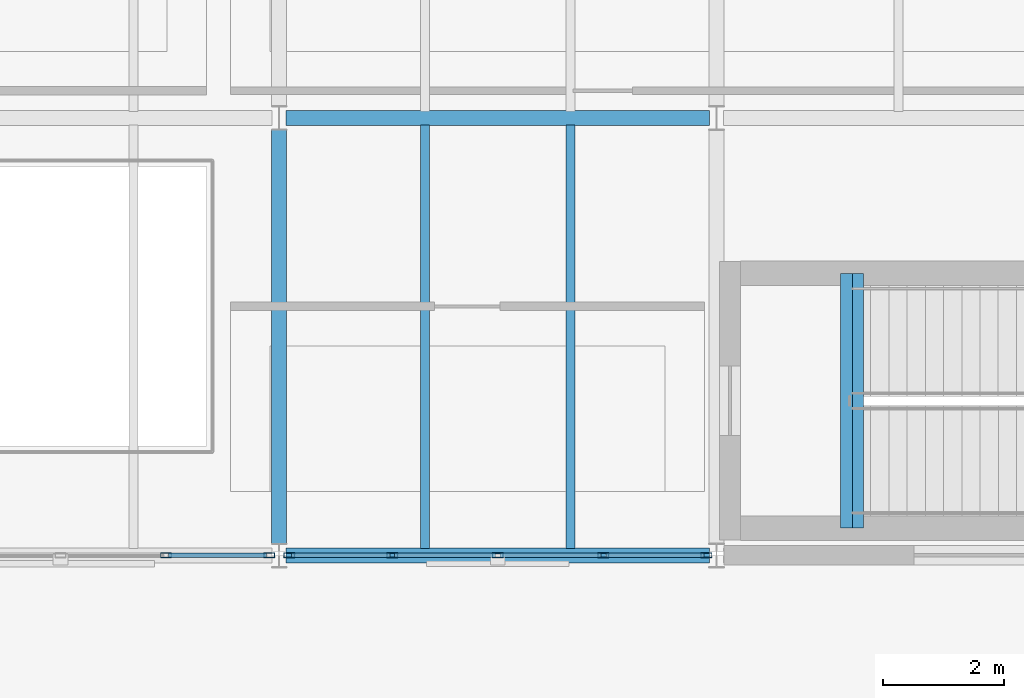
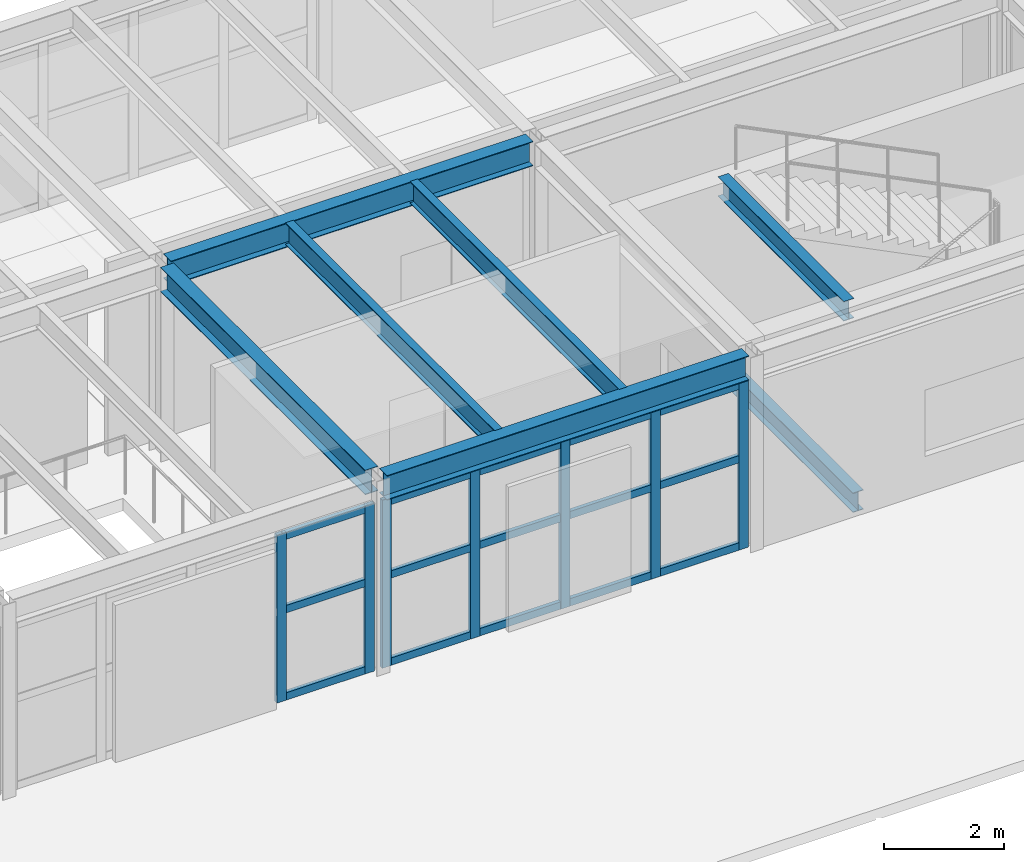
# One storey, part 19 of 37: 22 members, 7 beams, 2 elements without a shape of their own.
"""IFC4 building model written with IfcOpenShell, lengths in metres."""

from ifc_helpers import new_model, si_unit, direction, frame, origin, origin_2d, place, context, subcontext, project, spatial, hollow_rectangle, i_section, extrude, material, layer, layer_set, material_profile, profile_set, type_object, element, aggregate, save


model = new_model("IFC4")

# Units and contexts
model_context = context("Model", 3, precision=1e-05, world=origin(), true_north=direction((0.0, 1.0)))
body_context = subcontext(model_context, "Body", "Model", "MODEL_VIEW")
ifc_project = project(units=[si_unit("LENGTHUNIT", "METRE"), si_unit("AREAUNIT", "SQUARE_METRE"), si_unit("VOLUMEUNIT", "CUBIC_METRE"), si_unit("PLANEANGLEUNIT", "RADIAN"), si_unit("MASSUNIT", "GRAM", prefix="KILO")], contexts=[model_context])

# Site, building, storey
site_placement = place(None, origin())
site = spatial("IfcSite", under=ifc_project, at=site_placement, CompositionType="ELEMENT")
building_placement = place(site_placement, origin())
building = spatial("IfcBuilding", under=site, at=building_placement, Name="Kandorven Conservatory and Botanical Research Centre", CompositionType="ELEMENT")
storey_placement = place(building_placement, frame((0.0, 0.0, 9.0)))
storey = spatial("IfcBuildingStorey", under=building, at=storey_placement, Name="L02", CompositionType="ELEMENT", Elevation=9.0)

# Beams
ifc_material_1 = material(Name="Steel S355 (IS 2062 E350)", Category="steel")
ifc_material_profile_1 = material_profile(ifc_material_1, i_section(OverallWidth=0.25, OverallDepth=0.5, WebThickness=0.010009765625, FlangeThickness=0.0146484375, at=origin_2d()))
ifc_profile_set_1 = profile_set([ifc_material_profile_1], Name="Steel S355 (IS 2062 E350)")
beam_type_1 = type_object("IfcBeamType", Name="Beam_FG-02", PredefinedType="USERDEFINED", material=ifc_profile_set_1)
for number, where, z_axis, x_axis, name in (
    (1, (70.9150390625, 13.199951171875, 3.7099609375), (1.0, 0.0, 0.0), (0.0, 1.0, 0.0), "Primary girder FG-02 VIS L02"),
    (2, (70.9150390625, 20.39990234375, 3.7099609375), (1.0, 0.0, 0.0), (0.0, 1.0, 0.0), "Primary girder FG-02 VIS L02"),
):
    element("IfcBeam", number, at=place(storey_placement, frame(where, z_axis=z_axis, x_axis=x_axis)), inside=storey, type_object=beam_type_1, Name=name, ObjectType="GIRDER", PredefinedType="USERDEFINED", context=body_context, shape_type="SweptSolid", body=[
        extrude(i_section(OverallWidth=0.25, OverallDepth=0.5, WebThickness=0.010009765625, FlangeThickness=0.0146484375, at=origin_2d()), origin(), (0.0, 0.0, 1.0), 6.969970703125),
    ])
beam_placement = place(storey_placement, frame((70.800048828125, 13.389892578125, 3.7099609375), z_axis=(0.0, 1.0, 0.0), x_axis=(-1.0, 0.0, 0.0)))
element("IfcBeam", 3, at=beam_placement, inside=storey, type_object=beam_type_1, Name="Primary girder FG-02 VIS L02", ObjectType="GIRDER", PredefinedType="USERDEFINED", context=body_context, shape_type="SweptSolid", body=[
    extrude(i_section(OverallWidth=0.25, OverallDepth=0.5, WebThickness=0.010009765625, FlangeThickness=0.0146484375, at=origin_2d()), origin(), (0.0, 0.0, 1.0), 6.820068359375),
])
ifc_material_2 = material(Name="Steel S355 (IS 2062 E350)", Category="steel")
ifc_material_profile_2 = material_profile(ifc_material_2, i_section(OverallWidth=0.199951171875, OverallDepth=0.39990234375, WebThickness=0.008544921875, FlangeThickness=0.012939453125, at=origin_2d()))
ifc_profile_set_2 = profile_set([ifc_material_profile_2], Name="Steel S355 (IS 2062 E350)")
beam_type_2 = type_object("IfcBeamType", Name="Beam_FG-03", PredefinedType="USERDEFINED", material=ifc_profile_set_2)
for number, where, z_axis, x_axis, name in (
    (4, (80.320068359375, 13.64990234375, -0.199951171875), (0.0, 1.0, 0.0), (-1.0, 0.0, 0.0), "Stair well bottom trimmer girder FG-03 ST-V3B L02"),
    (5, (80.139892578125, 13.64990234375, 3.760009765625), (0.0, 1.0, 0.0), (-1.0, 0.0, 0.0), "Stair well top header girder FG-03 ST-V3B L02"),
):
    element("IfcBeam", number, at=place(storey_placement, frame(where, z_axis=z_axis, x_axis=x_axis)), inside=storey, type_object=beam_type_2, Name=name, ObjectType="GIRDER", PredefinedType="USERDEFINED", context=body_context, shape_type="SweptSolid", body=[
        extrude(i_section(OverallWidth=0.199951171875, OverallDepth=0.39990234375, WebThickness=0.008544921875, FlangeThickness=0.012939453125, at=origin_2d()), origin(), (0.0, 0.0, 1.0), 4.190185546875),
    ])
ifc_material_3 = material(Name="Steel S355 (IS 2062 E350)", Category="steel")
ifc_material_profile_3 = material_profile(ifc_material_3, i_section(OverallWidth=0.14990234375, OverallDepth=0.449951171875, WebThickness=0.009521484375, FlangeThickness=0.017333984375, at=origin_2d()))
ifc_profile_set_3 = profile_set([ifc_material_profile_3], Name="Steel S355 (IS 2062 E350)")
beam_type_3 = type_object("IfcBeamType", Name="Beam_SB-04", PredefinedType="BEAM", material=ifc_profile_set_3)
for number, where, z_axis, x_axis, name in (
    (6, (73.199951171875, 13.31005859375, 3.735107421875), (0.0, 1.0, 0.0), (-1.0, 0.0, 0.0), "Composite secondary beam SB-04 VIS L02"),
    (7, (75.60009765625, 13.31005859375, 3.735107421875), (0.0, 1.0, 0.0), (-1.0, 0.0, 0.0), "Composite secondary beam SB-04 VIS L02"),
):
    element("IfcBeam", number, at=place(storey_placement, frame(where, z_axis=z_axis, x_axis=x_axis)), inside=storey, type_object=beam_type_3, Name=name, PredefinedType="BEAM", context=body_context, shape_type="SweptSolid", body=[
        extrude(i_section(OverallWidth=0.14990234375, OverallDepth=0.449951171875, WebThickness=0.009521484375, FlangeThickness=0.017333984375, at=origin_2d()), origin(), (0.0, 0.0, 1.0), 6.97998046875),
    ])

# Curtain wall, members
ifc_material_4 = material(Name="Bronze anodised thermally broken aluminium", Category="aluminium")
ifc_layer = layer(ifc_material_4, 0.179931640625)
ifc_layer_set = layer_set([ifc_layer], Name="Bronze anodised thermally broken aluminium")
curtain_wall_type = type_object("IfcCurtainWallType", Name="CW_Unitised", PredefinedType="USERDEFINED", material=ifc_layer_set)
curtain_wall_1_placement = place(storey_placement, origin())
curtain_wall_1 = element("IfcCurtainWall", 8, at=curtain_wall_1_placement, inside=storey, type_object=curtain_wall_type, Name="Visitor wing unitised curtain wall CW-VIS-S-L02-4", ObjectType="UNITISED GLAZING", PredefinedType="USERDEFINED")
ifc_material_5 = material(Name="Bronze anodised thermally broken aluminium", Category="aluminium")
ifc_material_profile_4 = material_profile(ifc_material_5, hollow_rectangle(XDim=0.080078125, YDim=0.179931640625, WallThickness=0.006103515625, at=origin_2d()))
ifc_profile_set_4 = profile_set([ifc_material_profile_4], Name="Bronze anodised thermally broken aluminium")
member_type_1 = type_object("IfcMemberType", Name="CW_Mullion", PredefinedType="MULLION", material=ifc_profile_set_4)
member_1_placement = place(storey_placement, frame((68.9375, 13.199951171875, 0.0), z_axis=(0.0, 0.0, 1.0), x_axis=(0.0, 1.0, 0.0)))
member_1 = element("IfcMember", 9, at=member_1_placement, type_object=member_type_1, Name="CW-01 mullion 4", PredefinedType="MULLION", context=body_context, shape_type="SweptSolid", body=[
    extrude(hollow_rectangle(XDim=0.080078125, YDim=0.179931640625, WallThickness=0.006103515625, at=origin_2d()), origin(), (0.0, 0.0, 1.0), 3.419921875),
])
member_2_placement = place(storey_placement, frame((70.635009765625, 13.199951171875, 0.0), z_axis=(0.0, 0.0, 1.0), x_axis=(0.0, 1.0, 0.0)))
member_2 = element("IfcMember", 10, at=member_2_placement, type_object=member_type_1, Name="CW-01 mullion 5", PredefinedType="MULLION", context=body_context, shape_type="SweptSolid", body=[
    extrude(hollow_rectangle(XDim=0.080078125, YDim=0.179931640625, WallThickness=0.006103515625, at=origin_2d()), origin(), (0.0, 0.0, 1.0), 3.419921875),
])

curtain_wall_2_placement = place(storey_placement, origin())
curtain_wall_2 = element("IfcCurtainWall", 11, at=curtain_wall_2_placement, inside=storey, type_object=curtain_wall_type, Name="Visitor wing unitised curtain wall CW-VIS-S-L02-5", ObjectType="UNITISED GLAZING", PredefinedType="USERDEFINED")
member_3_placement = place(storey_placement, frame((70.965087890625, 13.199951171875, 0.0), z_axis=(0.0, 0.0, 1.0), x_axis=(0.0, 1.0, 0.0)))
member_3 = element("IfcMember", 12, at=member_3_placement, type_object=member_type_1, Name="CW-01 mullion 1", PredefinedType="MULLION", context=body_context, shape_type="SweptSolid", body=[
    extrude(hollow_rectangle(XDim=0.080078125, YDim=0.179931640625, WallThickness=0.006103515625, at=origin_2d()), origin(), (0.0, 0.0, 1.0), 3.419921875),
])
member_4_placement = place(storey_placement, frame((72.66259765625, 13.199951171875, 0.0), z_axis=(0.0, 0.0, 1.0), x_axis=(0.0, 1.0, 0.0)))
member_4 = element("IfcMember", 13, at=member_4_placement, type_object=member_type_1, Name="CW-01 mullion 2", PredefinedType="MULLION", context=body_context, shape_type="SweptSolid", body=[
    extrude(hollow_rectangle(XDim=0.080078125, YDim=0.179931640625, WallThickness=0.006103515625, at=origin_2d()), origin(), (0.0, 0.0, 1.0), 3.419921875),
])
member_5_placement = place(storey_placement, frame((74.39990234375, 13.199951171875, 0.0), z_axis=(0.0, 0.0, 1.0), x_axis=(0.0, 1.0, 0.0)))
member_5 = element("IfcMember", 14, at=member_5_placement, type_object=member_type_1, Name="CW-01 mullion 3", PredefinedType="MULLION", context=body_context, shape_type="SweptSolid", body=[
    extrude(hollow_rectangle(XDim=0.080078125, YDim=0.179931640625, WallThickness=0.006103515625, at=origin_2d()), origin(), (0.0, 0.0, 1.0), 3.419921875),
])
member_6_placement = place(storey_placement, frame((76.137451171875, 13.199951171875, 0.0), z_axis=(0.0, 0.0, 1.0), x_axis=(0.0, 1.0, 0.0)))
member_6 = element("IfcMember", 15, at=member_6_placement, type_object=member_type_1, Name="CW-01 mullion 4", PredefinedType="MULLION", context=body_context, shape_type="SweptSolid", body=[
    extrude(hollow_rectangle(XDim=0.080078125, YDim=0.179931640625, WallThickness=0.006103515625, at=origin_2d()), origin(), (0.0, 0.0, 1.0), 3.419921875),
])
member_7_placement = place(storey_placement, frame((77.8349609375, 13.199951171875, 0.0), z_axis=(0.0, 0.0, 1.0), x_axis=(0.0, 1.0, 0.0)))
member_7 = element("IfcMember", 16, at=member_7_placement, type_object=member_type_1, Name="CW-01 mullion 5", PredefinedType="MULLION", context=body_context, shape_type="SweptSolid", body=[
    extrude(hollow_rectangle(XDim=0.080078125, YDim=0.179931640625, WallThickness=0.006103515625, at=origin_2d()), origin(), (0.0, 0.0, 1.0), 3.419921875),
])

# Member
ifc_material_6 = material(Name="Bronze anodised thermally broken aluminium", Category="aluminium")
ifc_material_profile_5 = material_profile(ifc_material_6, hollow_rectangle(XDim=0.074951171875, YDim=0.14990234375, WallThickness=0.006103515625, at=origin_2d()))
ifc_profile_set_5 = profile_set([ifc_material_profile_5], Name="Bronze anodised thermally broken aluminium")
member_type_2 = type_object("IfcMemberType", Name="CW_Transom", PredefinedType="USERDEFINED", material=ifc_profile_set_5)
member_8_placement = place(storey_placement, frame((68.9775390625, 13.199951171875, 0.074951171875), z_axis=(1.0, 0.0, 0.0), x_axis=(0.0, 1.0, 0.0)))
member_8 = element("IfcMember", 17, at=member_8_placement, type_object=member_type_2, Name="CW-01 transom 4.1", ObjectType="TRANSOM", PredefinedType="USERDEFINED", context=body_context, shape_type="SweptSolid", body=[
    extrude(hollow_rectangle(XDim=0.074951171875, YDim=0.14990234375, WallThickness=0.006103515625, at=origin_2d()), origin(), (0.0, 0.0, 1.0), 1.617431640625),
])

member_9_placement = place(storey_placement, frame((68.9775390625, 13.199951171875, 1.85009765625), z_axis=(1.0, 0.0, 0.0), x_axis=(0.0, 1.0, 0.0)))
member_9 = element("IfcMember", 18, at=member_9_placement, type_object=member_type_2, Name="CW-01 transom 4.2", ObjectType="TRANSOM", PredefinedType="USERDEFINED", context=body_context, shape_type="SweptSolid", body=[
    extrude(hollow_rectangle(XDim=0.074951171875, YDim=0.14990234375, WallThickness=0.006103515625, at=origin_2d()), origin(), (0.0, 0.0, 1.0), 1.617431640625),
])

member_10_placement = place(storey_placement, frame((68.9775390625, 13.199951171875, 3.344970703125), z_axis=(1.0, 0.0, 0.0), x_axis=(0.0, 1.0, 0.0)))
member_10 = element("IfcMember", 19, at=member_10_placement, type_object=member_type_2, Name="CW-01 transom 4.3", ObjectType="TRANSOM", PredefinedType="USERDEFINED", context=body_context, shape_type="SweptSolid", body=[
    extrude(hollow_rectangle(XDim=0.074951171875, YDim=0.14990234375, WallThickness=0.006103515625, at=origin_2d()), origin(), (0.0, 0.0, 1.0), 1.617431640625),
])

aggregate(curtain_wall_1, [member_1, member_2, member_8, member_9, member_10])

member_11_placement = place(storey_placement, frame((71.0048828125, 13.199951171875, 0.074951171875), z_axis=(1.0, 0.0, 0.0), x_axis=(0.0, 1.0, 0.0)))
member_11 = element("IfcMember", 20, at=member_11_placement, type_object=member_type_2, Name="CW-01 transom 1.1", ObjectType="TRANSOM", PredefinedType="USERDEFINED", context=body_context, shape_type="SweptSolid", body=[
    extrude(hollow_rectangle(XDim=0.074951171875, YDim=0.14990234375, WallThickness=0.006103515625, at=origin_2d()), origin(), (0.0, 0.0, 1.0), 1.61767578125),
])

member_12_placement = place(storey_placement, frame((71.0048828125, 13.199951171875, 1.85009765625), z_axis=(1.0, 0.0, 0.0), x_axis=(0.0, 1.0, 0.0)))
member_12 = element("IfcMember", 21, at=member_12_placement, type_object=member_type_2, Name="CW-01 transom 1.2", ObjectType="TRANSOM", PredefinedType="USERDEFINED", context=body_context, shape_type="SweptSolid", body=[
    extrude(hollow_rectangle(XDim=0.074951171875, YDim=0.14990234375, WallThickness=0.006103515625, at=origin_2d()), origin(), (0.0, 0.0, 1.0), 1.61767578125),
])

member_13_placement = place(storey_placement, frame((71.0048828125, 13.199951171875, 3.344970703125), z_axis=(1.0, 0.0, 0.0), x_axis=(0.0, 1.0, 0.0)))
member_13 = element("IfcMember", 22, at=member_13_placement, type_object=member_type_2, Name="CW-01 transom 1.3", ObjectType="TRANSOM", PredefinedType="USERDEFINED", context=body_context, shape_type="SweptSolid", body=[
    extrude(hollow_rectangle(XDim=0.074951171875, YDim=0.14990234375, WallThickness=0.006103515625, at=origin_2d()), origin(), (0.0, 0.0, 1.0), 1.61767578125),
])

member_14_placement = place(storey_placement, frame((72.702392578125, 13.199951171875, 0.074951171875), z_axis=(1.0, 0.0, 0.0), x_axis=(0.0, 1.0, 0.0)))
member_14 = element("IfcMember", 23, at=member_14_placement, type_object=member_type_2, Name="CW-01 transom 2.1", ObjectType="TRANSOM", PredefinedType="USERDEFINED", context=body_context, shape_type="SweptSolid", body=[
    extrude(hollow_rectangle(XDim=0.074951171875, YDim=0.14990234375, WallThickness=0.006103515625, at=origin_2d()), origin(), (0.0, 0.0, 1.0), 1.65771484375),
])

member_15_placement = place(storey_placement, frame((72.702392578125, 13.199951171875, 1.85009765625), z_axis=(1.0, 0.0, 0.0), x_axis=(0.0, 1.0, 0.0)))
member_15 = element("IfcMember", 24, at=member_15_placement, type_object=member_type_2, Name="CW-01 transom 2.2", ObjectType="TRANSOM", PredefinedType="USERDEFINED", context=body_context, shape_type="SweptSolid", body=[
    extrude(hollow_rectangle(XDim=0.074951171875, YDim=0.14990234375, WallThickness=0.006103515625, at=origin_2d()), origin(), (0.0, 0.0, 1.0), 1.65771484375),
])

member_16_placement = place(storey_placement, frame((72.702392578125, 13.199951171875, 3.344970703125), z_axis=(1.0, 0.0, 0.0), x_axis=(0.0, 1.0, 0.0)))
member_16 = element("IfcMember", 25, at=member_16_placement, type_object=member_type_2, Name="CW-01 transom 2.3", ObjectType="TRANSOM", PredefinedType="USERDEFINED", context=body_context, shape_type="SweptSolid", body=[
    extrude(hollow_rectangle(XDim=0.074951171875, YDim=0.14990234375, WallThickness=0.006103515625, at=origin_2d()), origin(), (0.0, 0.0, 1.0), 1.65771484375),
])

member_17_placement = place(storey_placement, frame((74.43994140625, 13.199951171875, 0.074951171875), z_axis=(1.0, 0.0, 0.0), x_axis=(0.0, 1.0, 0.0)))
member_17 = element("IfcMember", 26, at=member_17_placement, type_object=member_type_2, Name="CW-01 transom 3.1", ObjectType="TRANSOM", PredefinedType="USERDEFINED", context=body_context, shape_type="SweptSolid", body=[
    extrude(hollow_rectangle(XDim=0.074951171875, YDim=0.14990234375, WallThickness=0.006103515625, at=origin_2d()), origin(), (0.0, 0.0, 1.0), 1.657470703125),
])

member_18_placement = place(storey_placement, frame((74.43994140625, 13.199951171875, 1.85009765625), z_axis=(1.0, 0.0, 0.0), x_axis=(0.0, 1.0, 0.0)))
member_18 = element("IfcMember", 27, at=member_18_placement, type_object=member_type_2, Name="CW-01 transom 3.2", ObjectType="TRANSOM", PredefinedType="USERDEFINED", context=body_context, shape_type="SweptSolid", body=[
    extrude(hollow_rectangle(XDim=0.074951171875, YDim=0.14990234375, WallThickness=0.006103515625, at=origin_2d()), origin(), (0.0, 0.0, 1.0), 1.657470703125),
])

member_19_placement = place(storey_placement, frame((74.43994140625, 13.199951171875, 3.344970703125), z_axis=(1.0, 0.0, 0.0), x_axis=(0.0, 1.0, 0.0)))
member_19 = element("IfcMember", 28, at=member_19_placement, type_object=member_type_2, Name="CW-01 transom 3.3", ObjectType="TRANSOM", PredefinedType="USERDEFINED", context=body_context, shape_type="SweptSolid", body=[
    extrude(hollow_rectangle(XDim=0.074951171875, YDim=0.14990234375, WallThickness=0.006103515625, at=origin_2d()), origin(), (0.0, 0.0, 1.0), 1.657470703125),
])

member_20_placement = place(storey_placement, frame((76.177490234375, 13.199951171875, 0.074951171875), z_axis=(1.0, 0.0, 0.0), x_axis=(0.0, 1.0, 0.0)))
member_20 = element("IfcMember", 29, at=member_20_placement, type_object=member_type_2, Name="CW-01 transom 4.1", ObjectType="TRANSOM", PredefinedType="USERDEFINED", context=body_context, shape_type="SweptSolid", body=[
    extrude(hollow_rectangle(XDim=0.074951171875, YDim=0.14990234375, WallThickness=0.006103515625, at=origin_2d()), origin(), (0.0, 0.0, 1.0), 1.617431640625),
])

member_21_placement = place(storey_placement, frame((76.177490234375, 13.199951171875, 1.85009765625), z_axis=(1.0, 0.0, 0.0), x_axis=(0.0, 1.0, 0.0)))
member_21 = element("IfcMember", 30, at=member_21_placement, type_object=member_type_2, Name="CW-01 transom 4.2", ObjectType="TRANSOM", PredefinedType="USERDEFINED", context=body_context, shape_type="SweptSolid", body=[
    extrude(hollow_rectangle(XDim=0.074951171875, YDim=0.14990234375, WallThickness=0.006103515625, at=origin_2d()), origin(), (0.0, 0.0, 1.0), 1.617431640625),
])

member_22_placement = place(storey_placement, frame((76.177490234375, 13.199951171875, 3.344970703125), z_axis=(1.0, 0.0, 0.0), x_axis=(0.0, 1.0, 0.0)))
member_22 = element("IfcMember", 31, at=member_22_placement, type_object=member_type_2, Name="CW-01 transom 4.3", ObjectType="TRANSOM", PredefinedType="USERDEFINED", context=body_context, shape_type="SweptSolid", body=[
    extrude(hollow_rectangle(XDim=0.074951171875, YDim=0.14990234375, WallThickness=0.006103515625, at=origin_2d()), origin(), (0.0, 0.0, 1.0), 1.617431640625),
])

aggregate(curtain_wall_2, [member_3, member_4, member_5, member_6, member_7, member_11, member_12, member_13, member_14, member_15, member_16, member_17, member_18, member_19, member_20, member_21, member_22])

save(model, "model.ifc")
